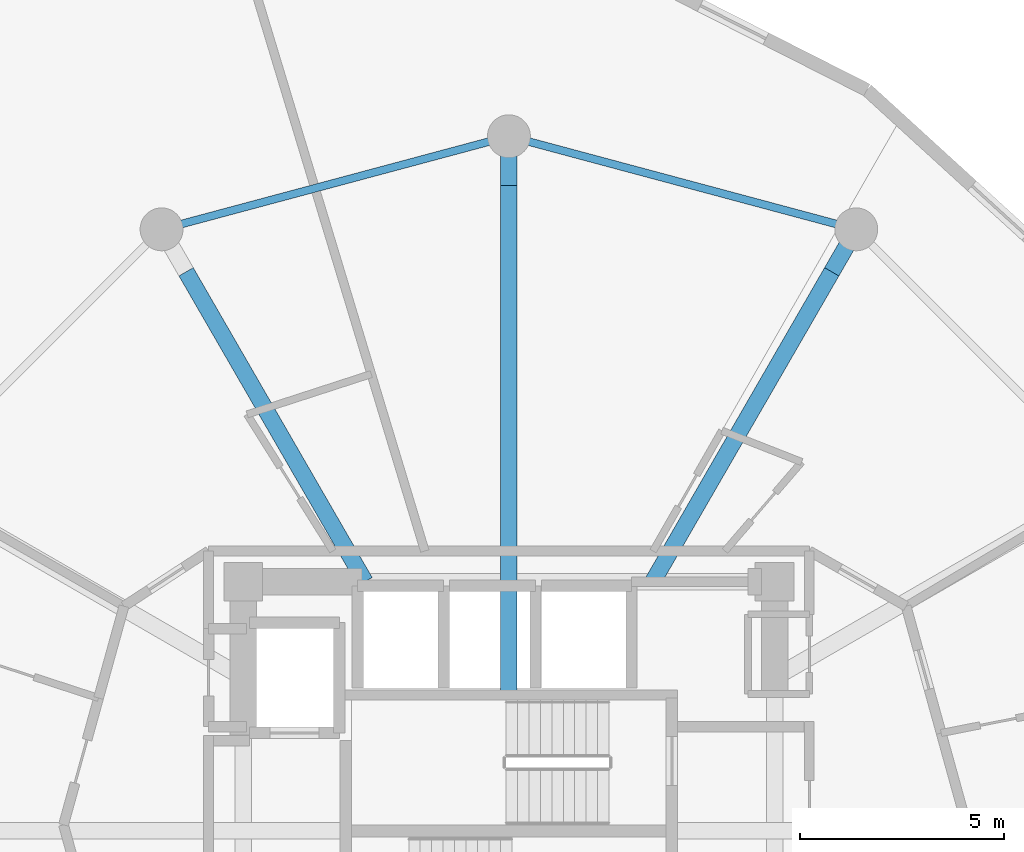
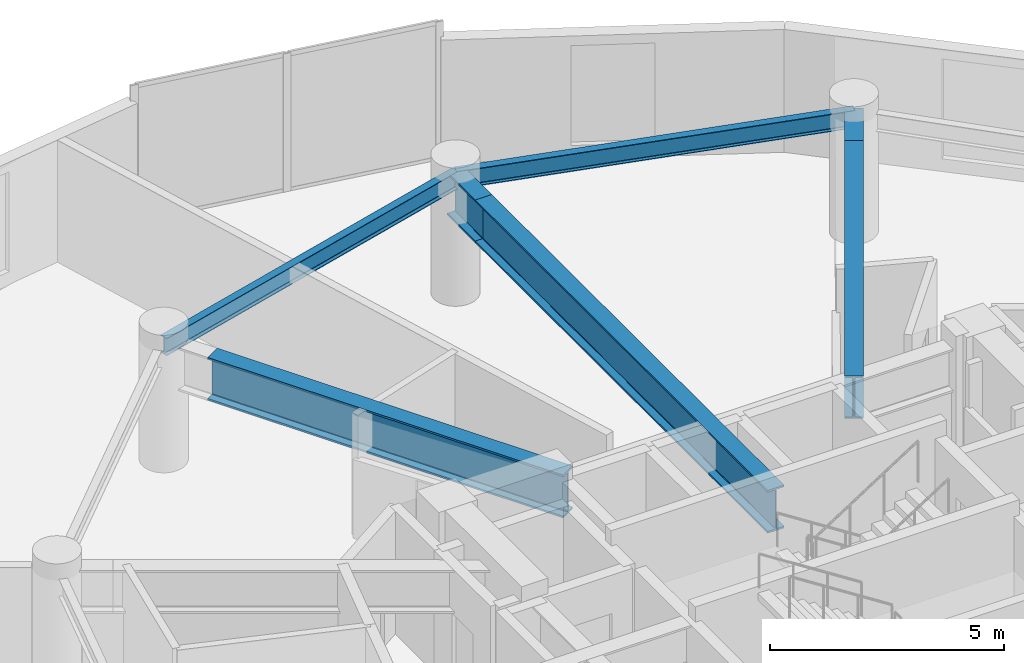
# One storey, part 13 of 22: 7 beams.
"""IFC4 building model written with IfcOpenShell, lengths in metres."""

from ifc_helpers import new_model, si_unit, direction, frame, origin, origin_2d, place, context, subcontext, project, spatial, i_section, extrude, material, material_profile, profile_set, type_object, element, save


model = new_model("IFC4")

# Units and contexts
model_context = context("Model", 3, precision=1e-05, world=origin(), true_north=direction((0.0, 1.0)))
body_context = subcontext(model_context, "Body", "Model", "MODEL_VIEW")
ifc_project = project(units=[si_unit("LENGTHUNIT", "METRE"), si_unit("AREAUNIT", "SQUARE_METRE"), si_unit("VOLUMEUNIT", "CUBIC_METRE"), si_unit("PLANEANGLEUNIT", "RADIAN"), si_unit("MASSUNIT", "GRAM", prefix="KILO")], contexts=[model_context])

# Site, building, storey
site_placement = place(None, origin())
site = spatial("IfcSite", under=ifc_project, at=site_placement, CompositionType="ELEMENT")
building_placement = place(site_placement, origin())
building = spatial("IfcBuilding", under=site, at=building_placement, Name="Solvirekh Grand Hotel", CompositionType="ELEMENT")
storey_placement = place(building_placement, frame((0.0, 0.0, 160.199951171875)))
storey = spatial("IfcBuildingStorey", under=building, at=storey_placement, Name="L41", CompositionType="ELEMENT", Elevation=160.199951171875)

# Beams
ifc_material_1 = material(Name="Steel S355", Category="steel")
ifc_material_profile_1 = material_profile(ifc_material_1, i_section(OverallWidth=0.18994140625, OverallDepth=0.45703125, WebThickness=0.009033203125, FlangeThickness=0.013916015625, FilletRadius=0.012939453125, at=origin_2d()), Name="W460X74")
ifc_profile_set_1 = profile_set([ifc_material_profile_1], Name="Steel S355")
beam_type_1 = type_object("IfcBeamType", Name="Spandrel_Ring_W460", PredefinedType="SPANDREL", material=ifc_profile_set_1)
for number, where, z_axis, x_axis, name in (
    (1, (8.5, 14.721923828125, 2.97216796875), (-0.965911391906, 0.258872908946, 0.0), (-0.258872908946, -0.965911391906, 0.0), "L41 perimeter spandrel beam 3"),
    (2, (0.0, 17.0, 2.97216796875), (-0.965911391906, -0.258872908946, 0.0), (0.258872908946, -0.965911391906, 0.0), "L41 perimeter spandrel beam 4"),
):
    element("IfcBeam", number, at=place(storey_placement, frame(where, z_axis=z_axis, x_axis=x_axis)), inside=storey, type_object=beam_type_1, Name=name, PredefinedType="SPANDREL", context=body_context, shape_type="SweptSolid", body=[
        extrude(i_section(OverallWidth=0.18994140625, OverallDepth=0.45703125, WebThickness=0.009033203125, FlangeThickness=0.013916015625, FilletRadius=0.012939453125, at=origin_2d()), origin(), (0.0, 0.0, 1.0), 8.800048828125),
    ])
ifc_material_2 = material(Name="Steel S460", Category="steel")
ifc_material_profile_2 = material_profile(ifc_material_2, i_section(OverallWidth=0.405029296875, OverallDepth=1.117919921875, WebThickness=0.02587890625, FlangeThickness=0.048095703125, FilletRadius=0.02392578125, at=origin_2d()), Name="W1100X499")
ifc_profile_set_2 = profile_set([ifc_material_profile_2], Name="Steel S460")
beam_type_2 = type_object("IfcBeamType", Name="TransferGirder_W1100", PredefinedType="USERDEFINED", material=ifc_profile_set_2)
beam_1_placement = place(storey_placement, frame((3.52099609375, 6.10009765625, 2.64111328125), z_axis=(0.500073199139, 0.865983138117, 0.0), x_axis=(-0.865983138117, 0.500073199139, 0.0)))
element("IfcBeam", 3, at=beam_1_placement, inside=storey, type_object=beam_type_2, Name="L41 inner radial transfer girder 3A", ObjectType="TRANSFER GIRDER", PredefinedType="USERDEFINED", context=body_context, shape_type="SweptSolid", body=[
    extrude(i_section(OverallWidth=0.405029296875, OverallDepth=1.117919921875, WebThickness=0.02587890625, FlangeThickness=0.048095703125, FilletRadius=0.02392578125, at=origin_2d()), origin(), (0.0, 0.0, 1.0), 8.756591796875),
])
beam_2_placement = place(storey_placement, frame((7.89990234375, 13.68310546875, 2.64111328125), z_axis=(0.500209787201, 0.865904249203, 0.0), x_axis=(-0.865904249203, 0.500209787201, 0.0)))
element("IfcBeam", 4, at=beam_2_placement, inside=storey, type_object=beam_type_2, Name="L41 outer radial transfer girder 3B", ObjectType="TRANSFER GIRDER", PredefinedType="USERDEFINED", context=body_context, shape_type="SweptSolid", body=[
    extrude(i_section(OverallWidth=0.405029296875, OverallDepth=1.117919921875, WebThickness=0.02587890625, FlangeThickness=0.048095703125, FilletRadius=0.02392578125, at=origin_2d()), origin(), (0.0, 0.0, 1.0), 1.19970703125),
])
beam_3_placement = place(storey_placement, frame((0.0, 3.324951171875, 2.64111328125), z_axis=(0.0, 1.0, 0.0), x_axis=(-1.0, 0.0, 0.0)))
element("IfcBeam", 5, at=beam_3_placement, inside=storey, type_object=beam_type_2, Name="L41 inner radial transfer girder 4A", ObjectType="TRANSFER GIRDER", PredefinedType="USERDEFINED", context=body_context, shape_type="SweptSolid", body=[
    extrude(i_section(OverallWidth=0.405029296875, OverallDepth=1.117919921875, WebThickness=0.02587890625, FlangeThickness=0.048095703125, FilletRadius=0.02392578125, at=origin_2d()), origin(), (0.0, 0.0, 1.0), 12.47509765625),
])
beam_4_placement = place(storey_placement, frame((0.0, 15.800048828125, 2.64111328125), z_axis=(0.0, 1.0, 0.0), x_axis=(-1.0, 0.0, 0.0)))
element("IfcBeam", 6, at=beam_4_placement, inside=storey, type_object=beam_type_2, Name="L41 outer radial transfer girder 4B", ObjectType="TRANSFER GIRDER", PredefinedType="USERDEFINED", context=body_context, shape_type="SweptSolid", body=[
    extrude(i_section(OverallWidth=0.405029296875, OverallDepth=1.117919921875, WebThickness=0.02587890625, FlangeThickness=0.048095703125, FilletRadius=0.02392578125, at=origin_2d()), origin(), (0.0, 0.0, 1.0), 1.199951171875),
])
beam_5_placement = place(storey_placement, frame((-3.52099609375, 6.10009765625, 2.64111328125), z_axis=(-0.500073199139, 0.865983138117, 0.0), x_axis=(-0.865983138117, -0.500073199139, 0.0)))
element("IfcBeam", 7, at=beam_5_placement, inside=storey, type_object=beam_type_2, Name="L41 inner radial transfer girder 5A", ObjectType="TRANSFER GIRDER", PredefinedType="USERDEFINED", context=body_context, shape_type="SweptSolid", body=[
    extrude(i_section(OverallWidth=0.405029296875, OverallDepth=1.117919921875, WebThickness=0.02587890625, FlangeThickness=0.048095703125, FilletRadius=0.02392578125, at=origin_2d()), origin(), (0.0, 0.0, 1.0), 8.756591796875),
])

save(model, "model.ifc")
